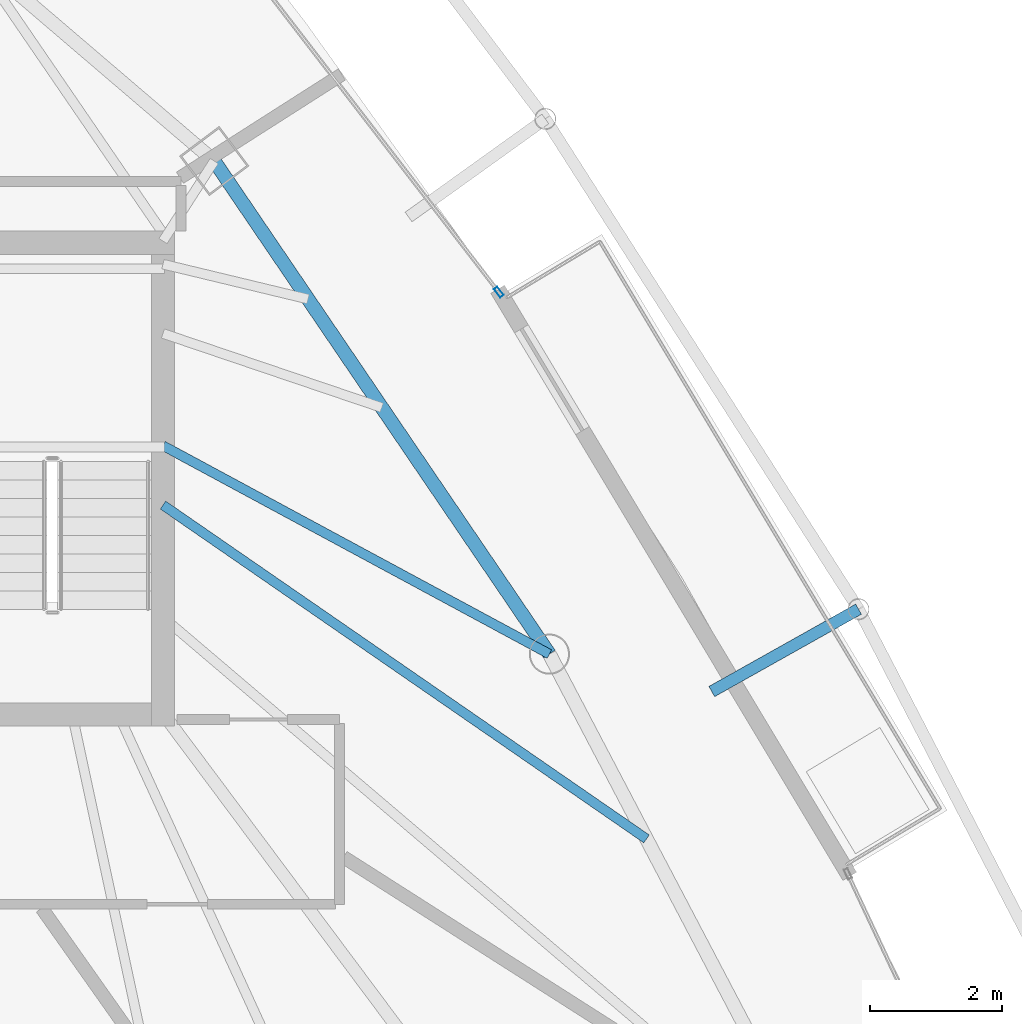
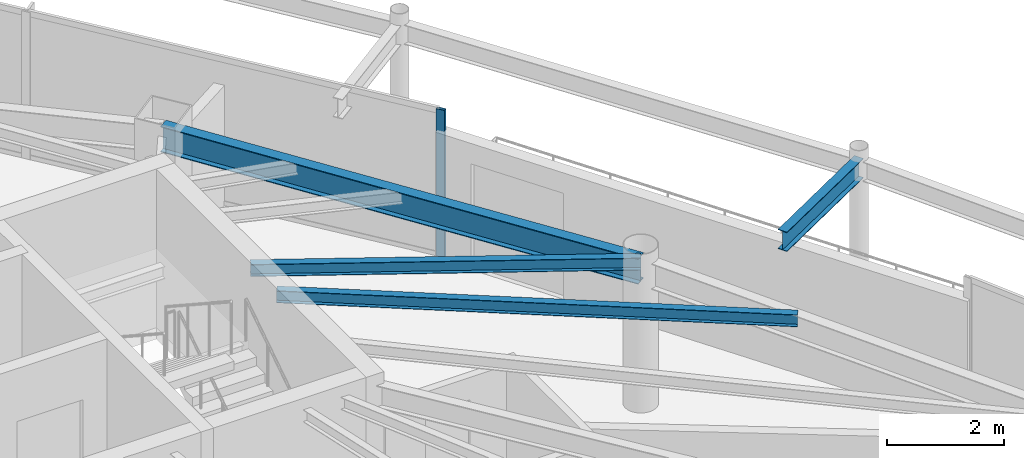
# One storey, part 21 of 33: 4 beams, 1 member, 1 element without a shape of its own.
"""IFC4 building model written with IfcOpenShell, lengths in metres."""

from ifc_helpers import new_model, si_unit, direction, frame, origin, origin_2d, place, context, subcontext, project, spatial, hollow_rectangle, i_section, extrude, material, layer, layer_set, material_profile, profile_set, type_object, element, aggregate, save


model = new_model("IFC4")

# Units and contexts
model_context = context("Model", 3, precision=1e-05, world=origin(), true_north=direction((0.0, 1.0)))
body_context = subcontext(model_context, "Body", "Model", "MODEL_VIEW")
ifc_project = project(units=[si_unit("LENGTHUNIT", "METRE"), si_unit("AREAUNIT", "SQUARE_METRE"), si_unit("VOLUMEUNIT", "CUBIC_METRE"), si_unit("PLANEANGLEUNIT", "RADIAN"), si_unit("MASSUNIT", "GRAM", prefix="KILO")], contexts=[model_context])

# Site, building, storey
site_placement = place(None, origin())
site = spatial("IfcSite", under=ifc_project, at=site_placement, CompositionType="ELEMENT")
building_placement = place(site_placement, origin())
building = spatial("IfcBuilding", under=site, at=building_placement, Name="Orvanel Arch Residences", CompositionType="ELEMENT")
storey_placement = place(building_placement, frame((0.0, 0.0, 209.60009765625)))
storey = spatial("IfcBuildingStorey", under=building, at=storey_placement, Name="L59", CompositionType="ELEMENT", Elevation=209.60009765625)

# Beams
ifc_material_1 = material(Name="Structural steel AS/NZS 3679.1 Grade 300 (300 MPa)", Category="steel")
ifc_material_profile_1 = material_profile(ifc_material_1, i_section(OverallWidth=0.14599609375, OverallDepth=0.251953125, WebThickness=0.006103515625, FlangeThickness=0.008544921875, at=origin_2d()), Name="250UB31.4")
ifc_profile_set_1 = profile_set([ifc_material_profile_1], Name="Structural steel AS/NZS 3679.1 Grade 300 (300 MPa)")
beam_type_1 = type_object("IfcBeamType", Name="BJ-250UB", PredefinedType="JOIST", material=ifc_profile_set_1)
beam_1_placement = place(storey_placement, frame((39.574951171875, 30.800048828125, 2.933837890625), z_axis=(0.880111494021, -0.474767056664, 0.0), x_axis=(0.474767056664, 0.880111494021, 0.0)))
element("IfcBeam", 1, at=beam_1_placement, inside=storey, type_object=beam_type_1, Name="L59 NE Wing Floor Joist", PredefinedType="JOIST", context=body_context, shape_type="SweptSolid", body=[
    extrude(i_section(OverallWidth=0.14599609375, OverallDepth=0.251953125, WebThickness=0.006103515625, FlangeThickness=0.008544921875, at=origin_2d()), origin(), (0.0, 0.0, 1.0), 6.653564453125),
])
beam_2_placement = place(storey_placement, frame((39.574951171875, 29.89990234375, 2.933837890625), z_axis=(0.822917046387, -0.568161539323, 0.0), x_axis=(0.568161539323, 0.822917046387, 0.0)))
element("IfcBeam", 2, at=beam_2_placement, inside=storey, type_object=beam_type_1, Name="L59 CTE Wing Floor Joist", PredefinedType="JOIST", context=body_context, shape_type="SweptSolid", body=[
    extrude(i_section(OverallWidth=0.14599609375, OverallDepth=0.251953125, WebThickness=0.006103515625, FlangeThickness=0.008544921875, at=origin_2d()), origin(), (0.0, 0.0, 1.0), 8.90380859375),
])

# Curtain wall, member
ifc_material_2 = material(Name="Bronze-anodised aluminium AA6063-T6", Category="aluminium")
ifc_layer = layer(ifc_material_2, 0.175048828125)
ifc_layer_set = layer_set([ifc_layer], Name="Bronze-anodised aluminium AA6063-T6")
curtain_wall_type = type_object("IfcCurtainWallType", Name="CW4-HI-SYS", PredefinedType="NOTDEFINED", material=ifc_layer_set)
curtain_wall_placement = place(storey_placement, origin())
curtain_wall = element("IfcCurtainWall", 3, at=curtain_wall_placement, inside=storey, type_object=curtain_wall_type, Name="L59 CW4-HI-SYS Unitised Curtain Wall", PredefinedType="NOTDEFINED")
ifc_material_profile_2 = material_profile(ifc_material_2, hollow_rectangle(XDim=0.06494140625, YDim=0.159912109375, WallThickness=0.00390625, at=origin_2d()), Name="ALU160x65x4")
ifc_profile_set_2 = profile_set([ifc_material_profile_2], Name="Bronze-anodised aluminium AA6063-T6")
member_type = type_object("IfcMemberType", Name="MUL-160x65", PredefinedType="MULLION", material=ifc_profile_set_2)
member_placement = place(storey_placement, frame((44.665283203125, 33.126708984375, 0.0), z_axis=(0.0, 0.0, 1.0), x_axis=(-0.792150817266, -0.61032539084, 0.0)))
member = element("IfcMember", 4, at=member_placement, type_object=member_type, Name="CW-S4 mullion 1", PredefinedType="MULLION", context=body_context, shape_type="SweptSolid", body=[
    extrude(hollow_rectangle(XDim=0.06494140625, YDim=0.159912109375, WallThickness=0.00390625, at=origin_2d()), origin(), (0.0, 0.0, 1.0), 3.059814453125),
])
aggregate(curtain_wall, [member])

# Beams
ifc_material_profile_3 = material_profile(ifc_material_1, i_section(OverallWidth=0.177978515625, OverallDepth=0.406005859375, WebThickness=0.0078125, FlangeThickness=0.0126953125, at=origin_2d()), Name="410UB59.7")
ifc_profile_set_3 = profile_set([ifc_material_profile_3], Name="Structural steel AS/NZS 3679.1 Grade 300 (300 MPa)")
beam_type_2 = type_object("IfcBeamType", Name="OB-410UB-EXT", PredefinedType="SPANDREL", material=ifc_profile_set_3)
beam_3_placement = place(storey_placement, frame((47.89111328125, 27.073974609375, 2.85693359375), z_axis=(0.872058338595, 0.489401935108, 0.0), x_axis=(-0.489401935108, 0.872058338595, 0.0)))
element("IfcBeam", 5, at=beam_3_placement, inside=storey, type_object=beam_type_2, Name="L59 Outer Frame Radial Tie Beam 10", PredefinedType="SPANDREL", context=body_context, shape_type="SweptSolid", body=[
    extrude(i_section(OverallWidth=0.177978515625, OverallDepth=0.406005859375, WebThickness=0.0078125, FlangeThickness=0.0126953125, at=origin_2d()), origin(), (0.0, 0.0, 1.0), 2.550048828125),
])
ifc_material_profile_4 = material_profile(ifc_material_1, i_section(OverallWidth=0.208984375, OverallDepth=0.532958984375, WebThickness=0.01025390625, FlangeThickness=0.015625, at=origin_2d()), Name="530UB92.4")
ifc_profile_set_4 = profile_set([ifc_material_profile_4], Name="Structural steel AS/NZS 3679.1 Grade 300 (300 MPa)")
beam_type_3 = type_object("IfcBeamType", Name="SP-530UB", PredefinedType="SPANDREL", material=ifc_profile_set_4)
beam_4_placement = place(storey_placement, frame((45.430908203125, 27.64111328125, 2.79296875), z_axis=(-0.562154793153, 0.827032035978, 0.0), x_axis=(-0.827032035978, -0.562154793153, 0.0)))
element("IfcBeam", 6, at=beam_4_placement, inside=storey, type_object=beam_type_3, Name="L59 Perimeter Spandrel Beam 08", PredefinedType="SPANDREL", context=body_context, shape_type="SweptSolid", body=[
    extrude(i_section(OverallWidth=0.208984375, OverallDepth=0.532958984375, WebThickness=0.01025390625, FlangeThickness=0.015625, at=origin_2d()), origin(), (0.0, 0.0, 1.0), 9.03466796875),
])

save(model, "model.ifc")
